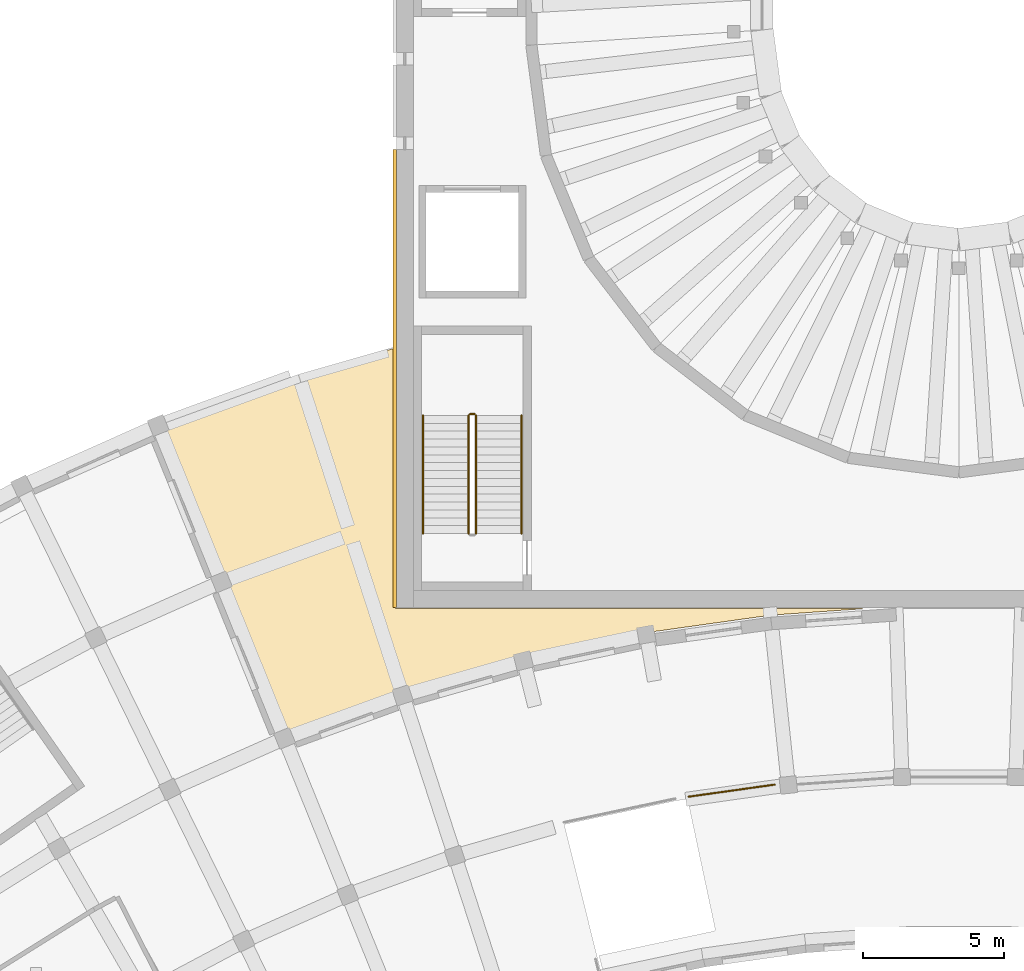
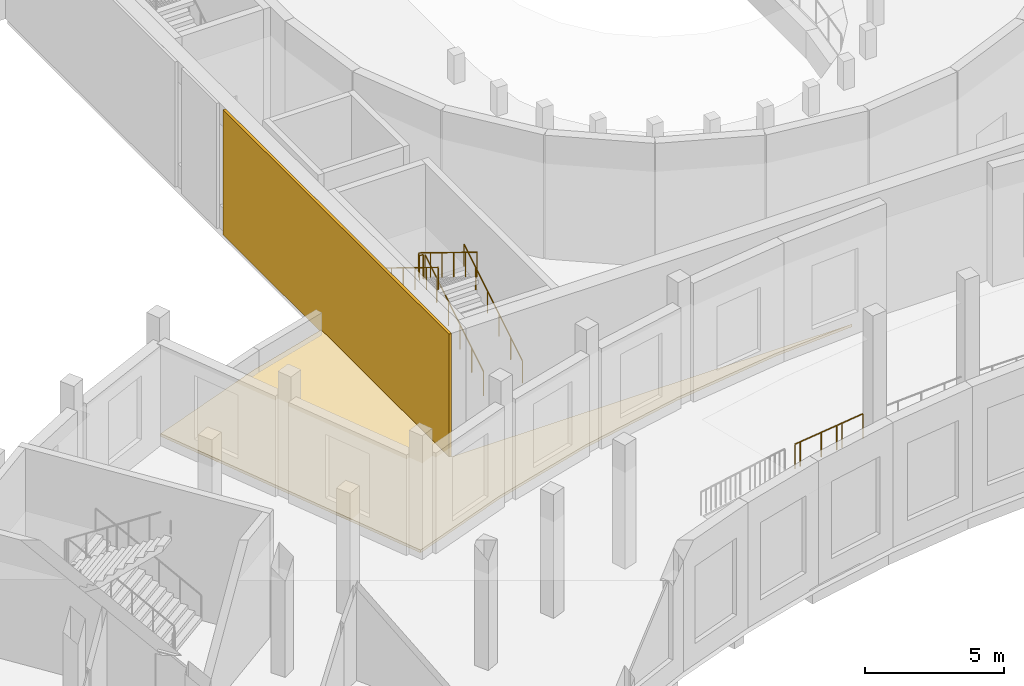
# One storey, part 107 of 132: 6 railings, 2 coverings.
"""IFC4 building model written with IfcOpenShell, lengths in metres."""

from ifc_helpers import new_model, si_unit, direction, frame, origin, origin_2d, place, context, subcontext, project, spatial, polyline, rectangle, circle, outline, extrude, material, layer, layer_set, type_object, element, save


model = new_model("IFC4")

# Units and contexts
model_context = context("Model", 3, precision=1e-05, world=origin(), true_north=direction((0.0, 1.0)))
body_context = subcontext(model_context, "Body", "Model", "MODEL_VIEW")
ifc_project = project(units=[si_unit("LENGTHUNIT", "METRE"), si_unit("AREAUNIT", "SQUARE_METRE"), si_unit("VOLUMEUNIT", "CUBIC_METRE"), si_unit("PLANEANGLEUNIT", "RADIAN"), si_unit("MASSUNIT", "GRAM", prefix="KILO")], contexts=[model_context])

# Site, building, storey
site_placement = place(None, origin())
site = spatial("IfcSite", under=ifc_project, at=site_placement, CompositionType="ELEMENT")
building_placement = place(site_placement, origin())
building = spatial("IfcBuilding", under=site, at=building_placement, Name="Lunette Opera House", CompositionType="ELEMENT")
storey_placement = place(building_placement, frame((0.0, 0.0, 17.0)))
storey = spatial("IfcBuildingStorey", under=building, at=storey_placement, Name="L03", CompositionType="ELEMENT", Elevation=17.0)

# Covering
ifc_material_1 = material(Name="Clinker brick", Category="masonry")
ifc_layer_1 = layer(ifc_material_1, 0.114990234375)
ifc_layer_set_1 = layer_set([ifc_layer_1], Name="Clinker brick")
covering_type_1 = type_object("IfcCoveringType", Name="CLINKER CLADDING 115", PredefinedType="CLADDING", material=ifc_layer_set_1)
covering_1_placement = place(storey_placement, frame((75.94189453125, 72.137939453125, 0.0), z_axis=(0.0, 0.0, 1.0), x_axis=(1.0, 0.0, 0.0)))
element("IfcCovering", 1, at=covering_1_placement, inside=storey, type_object=covering_type_1, Name="Clinker cladding WL L03 1", PredefinedType="CLADDING", context=body_context, shape_type="SweptSolid", body=[
    extrude(rectangle(XDim=0.114990234375, YDim=16.27490234375, at=origin_2d()), origin(), (0.0, 0.0, 1.0), 5.5),
])

# Railing
ifc_material_2 = material(Name="Steel S355", Category="steel")
railing_type_1 = type_object("IfcRailingType", Name="DECK GUARD 1100", PredefinedType="GUARDRAIL", material=ifc_material_2)
railing_1_placement = place(storey_placement, frame((86.388916015625, 57.263916015625, 0.0)))
element("IfcRailing", 2, at=railing_1_placement, inside=storey, type_object=railing_type_1, Name="Deck guard 025", PredefinedType="GUARDRAIL", context=body_context, shape_type="SweptSolid", body=[
    extrude(circle(Radius=0.02392578125, at=origin_2d()), frame((0.0, 0.0, 1.076171875), z_axis=(0.989597082032, 0.143866657824, 0.0), x_axis=(-0.143866657824, 0.989597082032, 0.0)), (0.0, 0.0, 1.0), 0.237548828125),
    extrude(circle(Radius=0.02392578125, at=origin_2d()), frame((0.235107421875, 0.0341796875, 1.076171875), z_axis=(0.990390215916, 0.138301193844, 0.0), x_axis=(-0.138301193844, 0.990390215916, 0.0)), (0.0, 0.0, 1.0), 0.953369140625),
    extrude(circle(Radius=0.02392578125, at=origin_2d()), frame((1.17919921875, 0.166015625, 1.076171875), z_axis=(0.990308839848, 0.138882690493, 0.0), x_axis=(-0.138882690493, 0.990308839848, 0.0)), (0.0, 0.0, 1.0), 0.713623046875),
    extrude(circle(Radius=0.02392578125, at=origin_2d()), frame((1.885986328125, 0.26513671875, 1.076171875), z_axis=(0.989826287624, 0.142281131313, 0.0), x_axis=(-0.142281131313, 0.989826287624, 0.0)), (0.0, 0.0, 1.0), 0.238525390625),
    extrude(circle(Radius=0.02392578125, at=origin_2d()), frame((2.1220703125, 0.299072265625, 1.076171875), z_axis=(0.990335409448, 0.138693102902, 0.0), x_axis=(-0.138693102902, 0.990335409448, 0.0)), (0.0, 0.0, 1.0), 0.952392578125),
    extrude(circle(Radius=0.02099609375, at=origin_2d()), origin(), (0.0, 0.0, 1.0), 1.052001953125),
    extrude(circle(Radius=0.02099609375, at=origin_2d()), frame((0.235107421875, 0.0341796875, 0.0)), (0.0, 0.0, 1.0), 1.052001953125),
    extrude(circle(Radius=0.02099609375, at=origin_2d()), frame((1.17919921875, 0.166015625, 0.0)), (0.0, 0.0, 1.0), 1.052001953125),
    extrude(circle(Radius=0.02099609375, at=origin_2d()), frame((1.885986328125, 0.26513671875, 0.0)), (0.0, 0.0, 1.0), 1.052001953125),
    extrude(circle(Radius=0.02099609375, at=origin_2d()), frame((2.1220703125, 0.299072265625, 0.0)), (0.0, 0.0, 1.0), 1.052001953125),
    extrude(circle(Radius=0.02099609375, at=origin_2d()), frame((3.065185546875, 0.43115234375, 0.0)), (0.0, 0.0, 1.0), 1.052001953125),
])

# Covering
ifc_material_3 = material(Name="Bitumen membrane on mineral wool")
ifc_layer_2 = layer(ifc_material_3, 0.1201171875)
ifc_layer_set_2 = layer_set([ifc_layer_2], Name="Bitumen membrane on mineral wool")
covering_type_2 = type_object("IfcCoveringType", Name="FLAT ROOF MEMBRANE 120", PredefinedType="ROOFING", material=ifc_layer_set_2)
covering_2_placement = place(storey_placement, origin())
element("IfcCovering", 3, at=covering_2_placement, inside=storey, type_object=covering_type_2, Name="Flat roof membrane FC L02 11", PredefinedType="ROOFING", context=body_context, shape_type="SweptSolid", body=[
    extrude(outline(polyline([(72.530029296875, 72.23193359375), (75.949951171875, 73.214111328125), (75.949951171875, 64.0), (75.949951171875, 63.9951171875), (75.950927734375, 63.989990234375), (75.951904296875, 63.985107421875), (75.9541015625, 63.98095703125), (75.9560546875, 63.97607421875), (75.9580078125, 63.971923828125), (75.9609375, 63.968017578125), (75.965087890625, 63.965087890625), (75.968017578125, 63.9609375), (75.971923828125, 63.9580078125), (75.97607421875, 63.9560546875), (75.98095703125, 63.9541015625), (75.985107421875, 63.951904296875), (75.989990234375, 63.950927734375), (75.9951171875, 63.949951171875), (76.0, 63.949951171875), (92.60693359375, 63.949951171875), (89.304931640625, 63.718994140625), (89.302978515625, 63.718994140625), (89.302001953125, 63.718994140625), (89.300048828125, 63.718017578125), (84.876953125, 63.096923828125), (84.8759765625, 63.096923828125), (84.8740234375, 63.096923828125), (84.8720703125, 63.095947265625), (80.501953125, 62.1669921875), (80.5009765625, 62.1669921875), (80.4990234375, 62.1669921875), (80.498046875, 62.166015625), (76.2041015625, 60.93505859375), (76.201904296875, 60.93505859375), (76.200927734375, 60.93408203125), (76.198974609375, 60.93408203125), (72.06494140625, 59.428955078125), (67.614990234375, 70.444091796875), (72.530029296875, 72.23193359375)])), origin(), (0.0, 0.0, 1.0), 0.1201171875),
])

# Railings
ifc_material_4 = material(Name="Steel S355", Category="steel")
railing_type_2 = type_object("IfcRailingType", Name="STAIR GUARD 1100", PredefinedType="GUARDRAIL", material=ifc_material_4)
railing_2_placement = place(storey_placement, frame((78.830078125, 66.6201171875, 0.171875)))
element("IfcRailing", 4, at=railing_2_placement, inside=storey, type_object=railing_type_2, Name="L03 ST7 stair guard 1", PredefinedType="GUARDRAIL", context=body_context, shape_type="SweptSolid", body=[
    extrude(circle(Radius=0.02392578125, at=origin_2d()), frame((0.0, 0.0, 1.076171875), z_axis=(0.0, 0.852242915053, 0.523146264196), x_axis=(-1.0, 0.0, 0.0)), (0.0, 0.0, 1.0), 4.92822265625),
    extrude(circle(Radius=0.02099609375, at=origin_2d()), origin(), (0.0, 0.0, 1.0), 1.052001953125),
    extrude(circle(Radius=0.02099609375, at=origin_2d()), frame((0.0, 0.840087890625, 0.515625)), (0.0, 0.0, 1.0), 1.052001953125),
    extrude(circle(Radius=0.02099609375, at=origin_2d()), frame((0.0, 1.679931640625, 1.03125)), (0.0, 0.0, 1.0), 1.052001953125),
    extrude(circle(Radius=0.02099609375, at=origin_2d()), frame((0.0, 2.52001953125, 1.546875)), (0.0, 0.0, 1.0), 1.052001953125),
    extrude(circle(Radius=0.02099609375, at=origin_2d()), frame((0.0, 3.35986328125, 2.0625)), (0.0, 0.0, 1.0), 1.052001953125),
    extrude(circle(Radius=0.02099609375, at=origin_2d()), frame((0.0, 4.199951171875, 2.578125)), (0.0, 0.0, 1.0), 1.052001953125),
])
railing_3_placement = place(storey_placement, frame((78.780029296875, 70.8701171875, 2.75)))
element("IfcRailing", 5, at=railing_3_placement, inside=storey, type_object=railing_type_2, Name="L03 ST7 stair guard 2", PredefinedType="GUARDRAIL", context=body_context, shape_type="SweptSolid", body=[
    extrude(circle(Radius=0.02392578125, at=origin_2d()), frame((0.0, 0.0, 1.076171875), z_axis=(-1.0, 0.0, 0.0), x_axis=(0.0, -1.0, 0.0)), (0.0, 0.0, 1.0), 0.159912109375),
    extrude(circle(Radius=0.02099609375, at=origin_2d()), origin(), (0.0, 0.0, 1.0), 1.052001953125),
    extrude(circle(Radius=0.02099609375, at=origin_2d()), frame((-0.159912109375, 0.0, 0.0)), (0.0, 0.0, 1.0), 1.052001953125),
])
railing_4_placement = place(storey_placement, frame((78.570068359375, 70.820068359375, 2.921875)))
element("IfcRailing", 6, at=railing_4_placement, inside=storey, type_object=railing_type_2, Name="L03 ST7 stair guard 3", PredefinedType="GUARDRAIL", context=body_context, shape_type="SweptSolid", body=[
    extrude(circle(Radius=0.02392578125, at=origin_2d()), frame((0.0, 0.0, 1.076171875), z_axis=(0.0, -0.852242915053, 0.523146264196), x_axis=(1.0, 0.0, 0.0)), (0.0, 0.0, 1.0), 4.92822265625),
    extrude(circle(Radius=0.02099609375, at=origin_2d()), origin(), (0.0, 0.0, 1.0), 1.052001953125),
    extrude(circle(Radius=0.02099609375, at=origin_2d()), frame((0.0, -0.840087890625, 0.515625)), (0.0, 0.0, 1.0), 1.052001953125),
    extrude(circle(Radius=0.02099609375, at=origin_2d()), frame((0.0, -1.679931640625, 1.03125)), (0.0, 0.0, 1.0), 1.052001953125),
    extrude(circle(Radius=0.02099609375, at=origin_2d()), frame((0.0, -2.52001953125, 1.546875)), (0.0, 0.0, 1.0), 1.052001953125),
    extrude(circle(Radius=0.02099609375, at=origin_2d()), frame((0.0, -3.35986328125, 2.0625)), (0.0, 0.0, 1.0), 1.052001953125),
    extrude(circle(Radius=0.02099609375, at=origin_2d()), frame((0.0, -4.199951171875, 2.578125)), (0.0, 0.0, 1.0), 1.052001953125),
])
ifc_material_5 = material(Name="Steel S355", Category="steel")
railing_type_3 = type_object("IfcRailingType", Name="STAIR HANDRAIL 1000", PredefinedType="HANDRAIL", material=ifc_material_5)
railing_5_placement = place(storey_placement, frame((80.449951171875, 66.6201171875, 0.171875)))
element("IfcRailing", 7, at=railing_5_placement, inside=storey, type_object=railing_type_3, Name="L03 ST7 stair handrail 1", PredefinedType="HANDRAIL", context=body_context, shape_type="SweptSolid", body=[
    extrude(circle(Radius=0.02392578125, at=origin_2d()), frame((0.0, 0.0, 0.97607421875), z_axis=(0.0, 0.852242915053, 0.523146264196), x_axis=(-1.0, 0.0, 0.0)), (0.0, 0.0, 1.0), 4.92822265625),
    extrude(circle(Radius=0.02099609375, at=origin_2d()), origin(), (0.0, 0.0, 1.0), 0.951904296875),
    extrude(circle(Radius=0.02099609375, at=origin_2d()), frame((0.0, 0.840087890625, 0.515625)), (0.0, 0.0, 1.0), 0.951904296875),
    extrude(circle(Radius=0.02099609375, at=origin_2d()), frame((0.0, 1.679931640625, 1.03125)), (0.0, 0.0, 1.0), 0.951904296875),
    extrude(circle(Radius=0.02099609375, at=origin_2d()), frame((0.0, 2.52001953125, 1.546875)), (0.0, 0.0, 1.0), 0.951904296875),
    extrude(circle(Radius=0.02099609375, at=origin_2d()), frame((0.0, 3.35986328125, 2.0625)), (0.0, 0.0, 1.0), 0.951904296875),
    extrude(circle(Radius=0.02099609375, at=origin_2d()), frame((0.0, 4.199951171875, 2.578125)), (0.0, 0.0, 1.0), 0.951904296875),
])
railing_6_placement = place(storey_placement, frame((76.949951171875, 70.820068359375, 2.921875)))
element("IfcRailing", 8, at=railing_6_placement, inside=storey, type_object=railing_type_3, Name="L03 ST7 stair handrail 2", PredefinedType="HANDRAIL", context=body_context, shape_type="SweptSolid", body=[
    extrude(circle(Radius=0.02392578125, at=origin_2d()), frame((0.0, 0.0, 0.97607421875), z_axis=(0.0, -0.852242915053, 0.523146264196), x_axis=(1.0, 0.0, 0.0)), (0.0, 0.0, 1.0), 4.92822265625),
    extrude(circle(Radius=0.02099609375, at=origin_2d()), origin(), (0.0, 0.0, 1.0), 0.951904296875),
    extrude(circle(Radius=0.02099609375, at=origin_2d()), frame((0.0, -0.840087890625, 0.515625)), (0.0, 0.0, 1.0), 0.951904296875),
    extrude(circle(Radius=0.02099609375, at=origin_2d()), frame((0.0, -1.679931640625, 1.03125)), (0.0, 0.0, 1.0), 0.951904296875),
    extrude(circle(Radius=0.02099609375, at=origin_2d()), frame((0.0, -2.52001953125, 1.546875)), (0.0, 0.0, 1.0), 0.951904296875),
    extrude(circle(Radius=0.02099609375, at=origin_2d()), frame((0.0, -3.35986328125, 2.0625)), (0.0, 0.0, 1.0), 0.951904296875),
    extrude(circle(Radius=0.02099609375, at=origin_2d()), frame((0.0, -4.199951171875, 2.578125)), (0.0, 0.0, 1.0), 0.951904296875),
])

save(model, "model.ifc")
